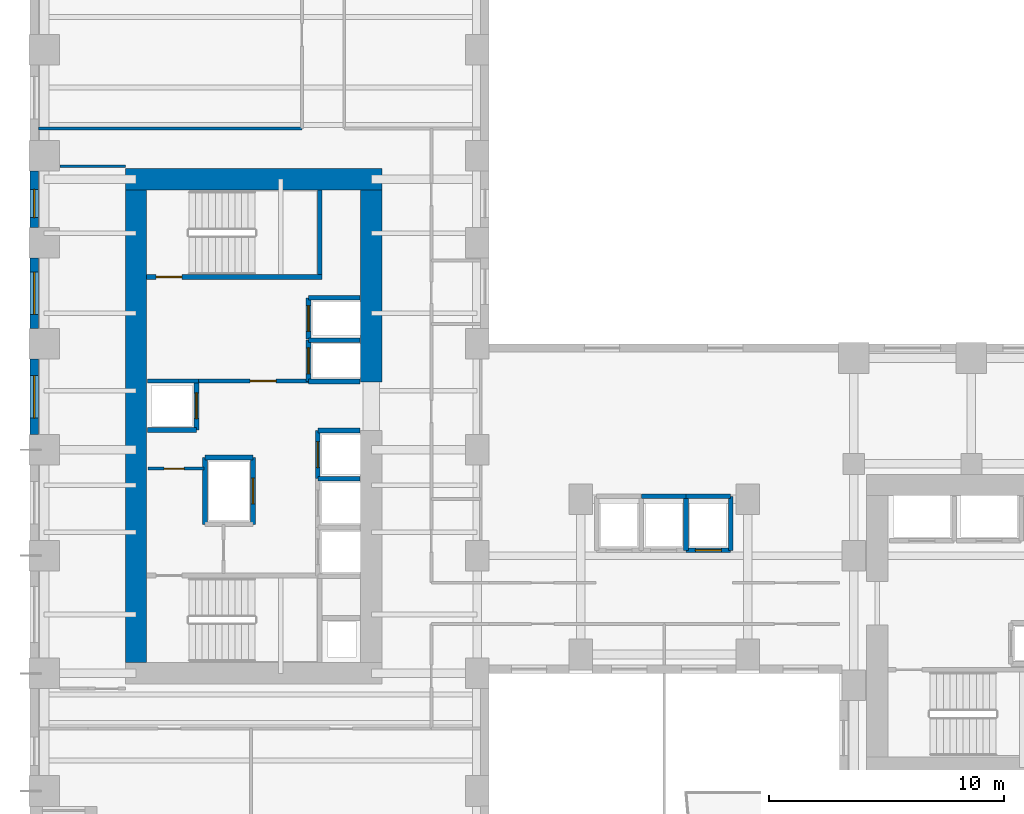
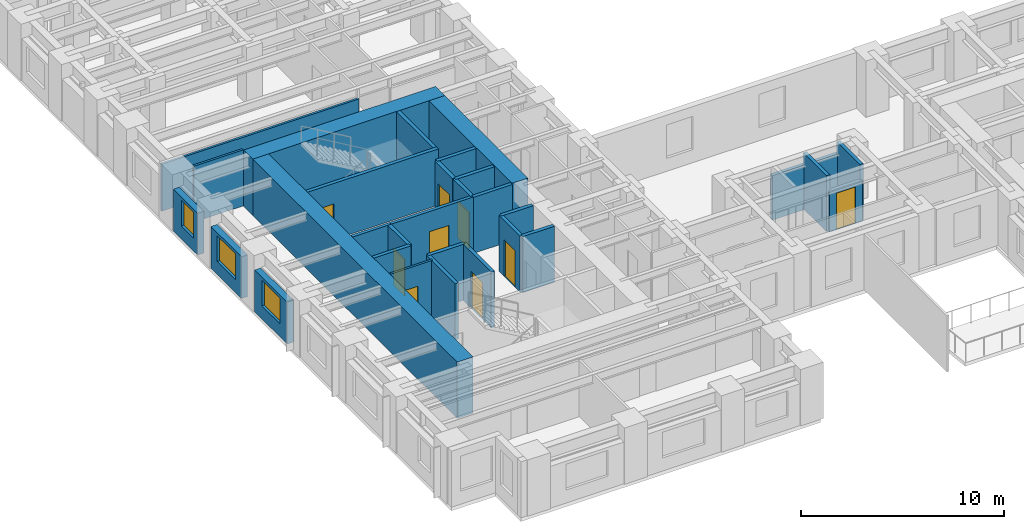
# One storey, part 5 of 12: 31 walls, 9 doors, 3 windows, 12 openings.
"""IFC4 building model written with IfcOpenShell, lengths in metres."""

from ifc_helpers import new_model, si_unit, direction, frame, frame_2d, origin, place, context, subcontext, project, spatial, rectangle, extrude, source, transform, mapped, material, layer, layer_set, type_object, element, fill, save


model = new_model("IFC4")

# Units and contexts
model_context = context("Model", 3, precision=1e-05, world=origin(), true_north=direction((0.0, 1.0)))
body_context = subcontext(model_context, "Body", "Model", "MODEL_VIEW")
ifc_project = project(units=[si_unit("LENGTHUNIT", "METRE"), si_unit("AREAUNIT", "SQUARE_METRE"), si_unit("VOLUMEUNIT", "CUBIC_METRE"), si_unit("PLANEANGLEUNIT", "RADIAN"), si_unit("MASSUNIT", "GRAM", prefix="KILO")], contexts=[model_context])

# Site, building, storey
site_placement = place(None, origin())
site = spatial("IfcSite", under=ifc_project, at=site_placement, CompositionType="ELEMENT")
building_placement = place(site_placement, origin())
building = spatial("IfcBuilding", under=site, at=building_placement, Name="Kharzan Plaza Tower", CompositionType="ELEMENT")
storey_placement = place(building_placement, frame((0.0, 0.0, 62.10009765625)))
storey = spatial("IfcBuildingStorey", under=building, at=storey_placement, Name="L16", CompositionType="ELEMENT", Elevation=62.10009765625)

# Wall, opening, window
ifc_material_1 = material(Name="Concrete C40/50", Category="concrete")
ifc_layer_1 = layer(ifc_material_1, 0.35009765625)
ifc_layer_set_1 = layer_set([ifc_layer_1], Name="Concrete C40/50")
wall_type_1 = type_object("IfcWallType", Name="WL-EXT-MAS-Z1", PredefinedType="SOLIDWALL", material=ifc_layer_set_1)
wall_1_placement = place(storey_placement, frame((0.175048828125, 29.85205078125, 0.0), z_axis=(0.0, 0.0, 1.0), x_axis=(0.0, -1.0, 0.0)))
wall_1 = element("IfcWall", 1, at=wall_1_placement, inside=storey, type_object=wall_type_1, Name="L16 Masonry-Frame Exterior Wall 14", PredefinedType="SOLIDWALL", context=body_context, shape_type="SweptSolid", body=[
    extrude(rectangle(XDim=2.404052734375, YDim=0.35009765625, at=frame_2d((1.2021484375, 0.0))), origin(), (0.0, 0.0, 1.0), 2.510009765625),
])
opening_1_placement = place(wall_1_placement, frame((0.786865234375, 0.0, 0.780029296875)))
opening_1 = element("IfcOpeningElement", 2, at=opening_1_placement, cuts=wall_1, Name="Opening W3", PredefinedType="OPENING", context=body_context, shape_type="SweptSolid", body=[
    extrude(rectangle(XDim=1.199951171875, YDim=1.550048828125, at=frame_2d((0.60009765625, 0.77490234375))), frame((0.0, 0.18505859375, 0.0), z_axis=(0.0, -1.0, 0.0), x_axis=(1.0, 0.0, 0.0)), (0.0, 0.0, 1.0), 0.3701171875),
])
ifc_material_2 = material(Name="Low-E Double Glazing", Category="glass")
window_type_1 = type_object("IfcWindowType", Name="WN-REC-1200x2100", PartitioningType="SINGLE_PANEL", PredefinedType="WINDOW", material=ifc_material_2)
shared_shape_1 = source(origin(), body_context, "Body", "SweptSolid", [
    extrude(rectangle(XDim=1.199951171875, YDim=1.550048828125, at=frame_2d((0.60009765625, 0.77490234375))), frame((0.0, 0.030029296875, 0.0), z_axis=(0.0, -1.0, 0.0), x_axis=(1.0, 0.0, 0.0)), (0.0, 0.0, 1.0), 0.06005859375),
])
window_1_placement = place(opening_1_placement, origin())
window_1 = element("IfcWindow", 3, at=window_1_placement, inside=storey, type_object=window_type_1, Name="L16 Recessed Solar-Control Window 14-1", OverallHeight=1.550048828125, OverallWidth=1.199951171875, PartitioningType="SINGLE_PANEL", PredefinedType="WINDOW", context=body_context, shape_type="MappedRepresentation", body=[
    mapped(shared_shape_1, transform((0.0, 0.0, 0.0), x_axis=(1.0, 0.0, 0.0), y_axis=(0.0, 1.0, 0.0), z_axis=(0.0, 0.0, 1.0))),
])
fill(opening_1, window_1)

wall_2_placement = place(storey_placement, frame((0.175048828125, 26.152099609375, 0.0), z_axis=(0.0, 0.0, 1.0), x_axis=(0.0, -1.0, 0.0)))
wall_2 = element("IfcWall", 4, at=wall_2_placement, inside=storey, type_object=wall_type_1, Name="L16 Masonry-Frame Exterior Wall 15", PredefinedType="SOLIDWALL", context=body_context, shape_type="SweptSolid", body=[
    extrude(rectangle(XDim=3.004150390625, YDim=0.35009765625, at=frame_2d((1.501953125, 0.0))), origin(), (0.0, 0.0, 1.0), 2.510009765625),
])
opening_2_placement = place(wall_2_placement, frame((0.60205078125, 0.0, 0.780029296875)))
opening_2 = element("IfcOpeningElement", 5, at=opening_2_placement, cuts=wall_2, Name="Opening W1", PredefinedType="OPENING", context=body_context, shape_type="SweptSolid", body=[
    extrude(rectangle(XDim=1.800048828125, YDim=1.550048828125, at=frame_2d((0.89990234375, 0.77490234375))), frame((0.0, 0.18505859375, 0.0), z_axis=(0.0, -1.0, 0.0), x_axis=(1.0, 0.0, 0.0)), (0.0, 0.0, 1.0), 0.3701171875),
])
window_type_2 = type_object("IfcWindowType", Name="WN-REC-1800x2100", PartitioningType="SINGLE_PANEL", PredefinedType="WINDOW", material=ifc_material_2)
shared_shape_2 = source(origin(), body_context, "Body", "SweptSolid", [
    extrude(rectangle(XDim=1.800048828125, YDim=1.550048828125, at=frame_2d((0.89990234375, 0.77490234375))), frame((0.0, 0.030029296875, 0.0), z_axis=(0.0, -1.0, 0.0), x_axis=(1.0, 0.0, 0.0)), (0.0, 0.0, 1.0), 0.06005859375),
])
window_2_placement = place(opening_2_placement, origin())
window_2 = element("IfcWindow", 6, at=window_2_placement, inside=storey, type_object=window_type_2, Name="L16 Recessed Solar-Control Window 15-1", OverallHeight=1.550048828125, OverallWidth=1.800048828125, PartitioningType="SINGLE_PANEL", PredefinedType="WINDOW", context=body_context, shape_type="MappedRepresentation", body=[
    mapped(shared_shape_2, transform((0.0, 0.0, 0.0), x_axis=(1.0, 0.0, 0.0), y_axis=(0.0, 1.0, 0.0), z_axis=(0.0, 0.0, 1.0))),
])
fill(opening_2, window_2)

wall_3_placement = place(storey_placement, frame((0.175048828125, 21.85205078125, 0.0), z_axis=(0.0, 0.0, 1.0), x_axis=(0.0, -1.0, 0.0)))
wall_3 = element("IfcWall", 7, at=wall_3_placement, inside=storey, type_object=wall_type_1, Name="L16 Masonry-Frame Exterior Wall 16", PredefinedType="SOLIDWALL", context=body_context, shape_type="SweptSolid", body=[
    extrude(rectangle(XDim=3.2041015625, YDim=0.35009765625, at=frame_2d((1.60205078125, 0.0))), origin(), (0.0, 0.0, 1.0), 2.510009765625),
])
opening_3_placement = place(wall_3_placement, frame((0.701904296875, 0.0, 0.780029296875)))
opening_3 = element("IfcOpeningElement", 8, at=opening_3_placement, cuts=wall_3, Name="Opening W1", PredefinedType="OPENING", context=body_context, shape_type="SweptSolid", body=[
    extrude(rectangle(XDim=1.800048828125, YDim=1.550048828125, at=frame_2d((0.89990234375, 0.77490234375))), frame((0.0, 0.18505859375, 0.0), z_axis=(0.0, -1.0, 0.0), x_axis=(1.0, 0.0, 0.0)), (0.0, 0.0, 1.0), 0.3701171875),
])
window_3_placement = place(opening_3_placement, origin())
window_3 = element("IfcWindow", 9, at=window_3_placement, inside=storey, type_object=window_type_2, Name="L16 Recessed Solar-Control Window 16-1", OverallHeight=1.550048828125, OverallWidth=1.800048828125, PartitioningType="SINGLE_PANEL", PredefinedType="WINDOW", context=body_context, shape_type="MappedRepresentation", body=[
    mapped(shared_shape_2, transform((0.0, 0.0, 0.0), x_axis=(1.0, 0.0, 0.0), y_axis=(0.0, 1.0, 0.0), z_axis=(0.0, 0.0, 1.0))),
])
fill(opening_3, window_3)

# Wall, opening, door
ifc_layer_2 = layer(ifc_material_1, 0.179931640625)
ifc_layer_set_2 = layer_set([ifc_layer_2], Name="Concrete C40/50")
wall_type_2 = type_object("IfcWallType", Name="WL-INT-FIRE-180", PredefinedType="PARTITIONING", material=ifc_layer_set_2)
wall_4_placement = place(storey_placement, frame((7.14990234375, 20.919921875, 0.0), z_axis=(0.0, 0.0, 1.0), x_axis=(1.0, 0.0, 0.0)))
wall_4 = element("IfcWall", 10, at=wall_4_placement, inside=storey, type_object=wall_type_2, Name="L16 Interior Partition CA-FF-S", PredefinedType="PARTITIONING", context=body_context, shape_type="SweptSolid", body=[
    extrude(rectangle(XDim=4.68017578125, YDim=0.179931640625, at=frame_2d((2.340087890625, 0.0))), origin(), (0.0, 0.0, 1.0), 3.364990234375),
])
opening_4_placement = place(wall_4_placement, frame((2.199951171875, 0.0, 0.0)))
opening_4 = element("IfcOpeningElement", 11, at=opening_4_placement, cuts=wall_4, Name="Opening FD1", PredefinedType="OPENING", context=body_context, shape_type="SweptSolid", body=[
    extrude(rectangle(XDim=1.10009765625, YDim=2.14990234375, at=frame_2d((0.550048828125, 1.074951171875))), frame((0.0, 0.099853515625, 0.0), z_axis=(0.0, -1.0, 0.0), x_axis=(1.0, 0.0, 0.0)), (0.0, 0.0, 1.0), 0.199951171875),
])
ifc_material_3 = material(Name="Fire-Rated Acoustic Vision-Panel Steel", Category="steel")
door_type_1 = type_object("IfcDoorType", Name="DR-FIRE-LOBBY", OperationType="NOTDEFINED", PredefinedType="DOOR", material=ifc_material_3)
shared_shape_3 = source(origin(), body_context, "Body", "SweptSolid", [
    extrude(rectangle(XDim=1.10009765625, YDim=2.14990234375, at=frame_2d((0.550048828125, 1.074951171875))), frame((0.0, 0.02490234375, 0.0), z_axis=(0.0, -1.0, 0.0), x_axis=(1.0, 0.0, 0.0)), (0.0, 0.0, 1.0), 0.050048828125),
])
door_1_placement = place(opening_4_placement, origin())
door_1 = element("IfcDoor", 12, at=door_1_placement, inside=storey, type_object=door_type_1, Name="L16 Firefighting Lobby Door", OperationType="SINGLE_SWING_RIGHT", OverallHeight=2.14990234375, OverallWidth=1.10009765625, PredefinedType="DOOR", context=body_context, shape_type="MappedRepresentation", body=[
    mapped(shared_shape_3, transform((0.0, 0.0, 0.0), x_axis=(1.0, 0.0, 0.0), y_axis=(0.0, 1.0, 0.0), z_axis=(0.0, 0.0, 1.0))),
])
fill(opening_4, door_1)

ifc_material_4 = material(Name="Fire-Rated Gypsum Board Partition", Category="gypsum")
ifc_layer_3 = layer(ifc_material_4, 0.125)
ifc_layer_set_3 = layer_set([ifc_layer_3], Name="Fire-Rated Gypsum Board Partition")
wall_type_3 = type_object("IfcWallType", Name="WL-INT-PART-125", PredefinedType="PARTITIONING", material=ifc_layer_set_3)
wall_5_placement = place(storey_placement, frame((5.0, 17.199951171875, 0.0), z_axis=(0.0, 0.0, 1.0), x_axis=(1.0, 0.0, 0.0)))
wall_5 = element("IfcWall", 13, at=wall_5_placement, inside=storey, type_object=wall_type_3, Name="L16 Interior Partition CA-K1N2", PredefinedType="PARTITIONING", context=body_context, shape_type="SweptSolid", body=[
    extrude(rectangle(XDim=2.39990234375, YDim=0.125, at=frame_2d((1.199951171875, 0.0))), origin(), (0.0, 0.0, 1.0), 3.364990234375),
])
opening_5_placement = place(wall_5_placement, frame((0.699951171875, 0.0, 0.0)))
opening_5 = element("IfcOpeningElement", 14, at=opening_5_placement, cuts=wall_5, Name="Opening RD1", PredefinedType="OPENING", context=body_context, shape_type="SweptSolid", body=[
    extrude(rectangle(XDim=0.85009765625, YDim=2.10009765625, at=frame_2d((0.425048828125, 1.050048828125))), frame((0.0, 0.072509765625, 0.0), z_axis=(0.0, -1.0, 0.0), x_axis=(1.0, 0.0, 0.0)), (0.0, 0.0, 1.0), 0.14501953125),
])
ifc_material_5 = material(Name="Powder-Coated Fire-Rated Steel", Category="steel")
door_type_2 = type_object("IfcDoorType", Name="DR-RISER-900", OperationType="NOTDEFINED", PredefinedType="DOOR", material=ifc_material_5)
shared_shape_4 = source(origin(), body_context, "Body", "SweptSolid", [
    extrude(rectangle(XDim=0.85009765625, YDim=2.10009765625, at=frame_2d((0.425048828125, 1.050048828125))), frame((0.0, 0.02490234375, 0.0), z_axis=(0.0, -1.0, 0.0), x_axis=(1.0, 0.0, 0.0)), (0.0, 0.0, 1.0), 0.050048828125),
])
door_2_placement = place(opening_5_placement, origin())
door_2 = element("IfcDoor", 15, at=door_2_placement, inside=storey, type_object=door_type_2, Name="L16 Core Storage Room Door", OperationType="SINGLE_SWING_LEFT", OverallHeight=2.10009765625, OverallWidth=0.85009765625, PredefinedType="DOOR", context=body_context, shape_type="MappedRepresentation", body=[
    mapped(shared_shape_4, transform((0.0, 0.0, 0.0), x_axis=(1.0, 0.0, 0.0), y_axis=(0.0, 1.0, 0.0), z_axis=(0.0, 0.0, 1.0))),
])
fill(opening_5, door_2)

ifc_layer_4 = layer(ifc_material_1, 0.199951171875)
ifc_layer_set_4 = layer_set([ifc_layer_4], Name="Concrete C40/50")
wall_type_4 = type_object("IfcWallType", Name="WL-INT-SHAFT-200", PredefinedType="PARTITIONING", material=ifc_layer_set_4)
wall_6_placement = place(storey_placement, frame((11.830078125, 20.89990234375, 0.0), z_axis=(0.0, 0.0, 1.0), x_axis=(0.0, 1.0, 0.0)))
wall_6 = element("IfcWall", 16, at=wall_6_placement, inside=storey, type_object=wall_type_4, Name="L16 Interior Partition SHF-FFL-1-W", PredefinedType="PARTITIONING", context=body_context, shape_type="SweptSolid", body=[
    extrude(rectangle(XDim=1.760009765625, YDim=0.199951171875, at=frame_2d((0.8798828125, 0.0))), origin(), (0.0, 0.0, 1.0), 3.364990234375),
])
opening_6_placement = place(wall_6_placement, frame((0.330078125, 0.0, 0.0)))
opening_6 = element("IfcOpeningElement", 17, at=opening_6_placement, cuts=wall_6, Name="Opening LD", PredefinedType="OPENING", context=body_context, shape_type="SweptSolid", body=[
    extrude(rectangle(XDim=1.10009765625, YDim=2.199951171875, at=frame_2d((0.550048828125, 1.10009765625))), frame((0.0, 0.10986328125, 0.0), z_axis=(0.0, -1.0, 0.0), x_axis=(1.0, 0.0, 0.0)), (0.0, 0.0, 1.0), 0.219970703125),
])
ifc_material_6 = material(Name="Brushed Stainless Steel", Category="steel")
door_type_3 = type_object("IfcDoorType", Name="DR-LIFT-SLIDE", OperationType="SLIDING_TO_LEFT", PredefinedType="DOOR", material=ifc_material_6)
shared_shape_5 = source(origin(), body_context, "Body", "SweptSolid", [
    extrude(rectangle(XDim=1.10009765625, YDim=2.199951171875, at=frame_2d((0.550048828125, 1.10009765625))), frame((0.0, 0.02490234375, 0.0), z_axis=(0.0, -1.0, 0.0), x_axis=(1.0, 0.0, 0.0)), (0.0, 0.0, 1.0), 0.050048828125),
])
door_3_placement = place(opening_6_placement, origin())
door_3 = element("IfcDoor", 18, at=door_3_placement, inside=storey, type_object=door_type_3, Name="L16 Firefighting Lift FFL-1 Sliding Landing Door", OperationType="SLIDING_TO_LEFT", OverallHeight=2.199951171875, OverallWidth=1.10009765625, PredefinedType="DOOR", context=body_context, shape_type="MappedRepresentation", body=[
    mapped(shared_shape_5, transform((0.0, 0.0, 0.0), x_axis=(1.0, 0.0, 0.0), y_axis=(0.0, 1.0, 0.0), z_axis=(0.0, 0.0, 1.0))),
])
fill(opening_6, door_3)

wall_7_placement = place(storey_placement, frame((11.830078125, 22.699951171875, 0.0), z_axis=(0.0, 0.0, 1.0), x_axis=(0.0, 1.0, 0.0)))
wall_7 = element("IfcWall", 19, at=wall_7_placement, inside=storey, type_object=wall_type_4, Name="L16 Interior Partition SHF-FFL-2-W", PredefinedType="PARTITIONING", context=body_context, shape_type="SweptSolid", body=[
    extrude(rectangle(XDim=1.760009765625, YDim=0.199951171875, at=frame_2d((0.8798828125, 0.0))), origin(), (0.0, 0.0, 1.0), 3.364990234375),
])
opening_7_placement = place(wall_7_placement, frame((0.330078125, 0.0, 0.0)))
opening_7 = element("IfcOpeningElement", 20, at=opening_7_placement, cuts=wall_7, Name="Opening LD", PredefinedType="OPENING", context=body_context, shape_type="SweptSolid", body=[
    extrude(rectangle(XDim=1.10009765625, YDim=2.199951171875, at=frame_2d((0.550048828125, 1.10009765625))), frame((0.0, 0.10986328125, 0.0), z_axis=(0.0, -1.0, 0.0), x_axis=(1.0, 0.0, 0.0)), (0.0, 0.0, 1.0), 0.219970703125),
])
door_4_placement = place(opening_7_placement, origin())
door_4 = element("IfcDoor", 21, at=door_4_placement, inside=storey, type_object=door_type_3, Name="L16 Firefighting Lift FFL-2 Sliding Landing Door", OperationType="SLIDING_TO_LEFT", OverallHeight=2.199951171875, OverallWidth=1.10009765625, PredefinedType="DOOR", context=body_context, shape_type="MappedRepresentation", body=[
    mapped(shared_shape_5, transform((0.0, 0.0, 0.0), x_axis=(1.0, 0.0, 0.0), y_axis=(0.0, 1.0, 0.0), z_axis=(0.0, 0.0, 1.0))),
])
fill(opening_7, door_4)

wall_8_placement = place(storey_placement, frame((12.22998046875, 16.77001953125, 0.0), z_axis=(0.0, 0.0, 1.0), x_axis=(0.0, 1.0, 0.0)))
wall_8 = element("IfcWall", 22, at=wall_8_placement, inside=storey, type_object=wall_type_4, Name="L16 Interior Partition SHF-PL-H3-W", PredefinedType="PARTITIONING", context=body_context, shape_type="SweptSolid", body=[
    extrude(rectangle(XDim=2.050048828125, YDim=0.199951171875, at=frame_2d((1.02490234375, 0.0))), origin(), (0.0, 0.0, 1.0), 3.364990234375),
])
opening_8_placement = place(wall_8_placement, frame((0.47509765625, 0.0, 0.0)))
opening_8 = element("IfcOpeningElement", 23, at=opening_8_placement, cuts=wall_8, Name="Opening LD", PredefinedType="OPENING", context=body_context, shape_type="SweptSolid", body=[
    extrude(rectangle(XDim=1.10009765625, YDim=2.199951171875, at=frame_2d((0.550048828125, 1.10009765625))), frame((0.0, 0.10986328125, 0.0), z_axis=(0.0, -1.0, 0.0), x_axis=(1.0, 0.0, 0.0)), (0.0, 0.0, 1.0), 0.219970703125),
])
door_5_placement = place(opening_8_placement, origin())
door_5 = element("IfcDoor", 24, at=door_5_placement, inside=storey, type_object=door_type_3, Name="L16 High-Rise Passenger Lift PL-H3 Sliding Landing Door", OperationType="SLIDING_TO_LEFT", OverallHeight=2.199951171875, OverallWidth=1.10009765625, PredefinedType="DOOR", context=body_context, shape_type="MappedRepresentation", body=[
    mapped(shared_shape_5, transform((0.0, 0.0, 0.0), x_axis=(1.0, 0.0, 0.0), y_axis=(0.0, 1.0, 0.0), z_axis=(0.0, 0.0, 1.0))),
])
fill(opening_8, door_5)

wall_9_placement = place(storey_placement, frame((7.070068359375, 18.840087890625, 0.0), z_axis=(0.0, 0.0, 1.0), x_axis=(0.0, 1.0, 0.0)))
wall_9 = element("IfcWall", 25, at=wall_9_placement, inside=storey, type_object=wall_type_4, Name="L16 Interior Partition SHF-PL-H4-E", PredefinedType="PARTITIONING", context=body_context, shape_type="SweptSolid", body=[
    extrude(rectangle(XDim=2.059814453125, YDim=0.199951171875, at=frame_2d((1.02978515625, 0.0))), origin(), (0.0, 0.0, 1.0), 3.364990234375),
])
opening_9_placement = place(wall_9_placement, frame((0.47998046875, 0.0, 0.0)))
opening_9 = element("IfcOpeningElement", 26, at=opening_9_placement, cuts=wall_9, Name="Opening LD", PredefinedType="OPENING", context=body_context, shape_type="SweptSolid", body=[
    extrude(rectangle(XDim=1.10009765625, YDim=2.199951171875, at=frame_2d((0.550048828125, 1.10009765625))), frame((0.0, 0.10986328125, 0.0), z_axis=(0.0, -1.0, 0.0), x_axis=(1.0, 0.0, 0.0)), (0.0, 0.0, 1.0), 0.219970703125),
])
door_6_placement = place(opening_9_placement, origin())
door_6 = element("IfcDoor", 27, at=door_6_placement, inside=storey, type_object=door_type_3, Name="L16 High-Rise Passenger Lift PL-H4 Sliding Landing Door", OperationType="SLIDING_TO_LEFT", OverallHeight=2.199951171875, OverallWidth=1.10009765625, PredefinedType="DOOR", context=body_context, shape_type="MappedRepresentation", body=[
    mapped(shared_shape_5, transform((0.0, 0.0, 0.0), x_axis=(1.0, 0.0, 0.0), y_axis=(0.0, 1.0, 0.0), z_axis=(0.0, 0.0, 1.0))),
])
fill(opening_9, door_6)

wall_10_placement = place(storey_placement, frame((27.8798828125, 13.72998046875, 0.0), z_axis=(0.0, 0.0, 1.0), x_axis=(1.0, 0.0, 0.0)))
wall_10 = element("IfcWall", 28, at=wall_10_placement, inside=storey, type_object=wall_type_4, Name="L16 Interior Partition SHF-PL-M3-S", PredefinedType="PARTITIONING", context=body_context, shape_type="SweptSolid", body=[
    extrude(rectangle(XDim=1.89013671875, YDim=0.199951171875, at=frame_2d((0.945068359375, 0.0))), origin(), (0.0, 0.0, 1.0), 2.44580078125),
])
opening_10_placement = place(wall_10_placement, frame((0.39501953125, 0.0, 0.0)))
opening_10 = element("IfcOpeningElement", 29, at=opening_10_placement, cuts=wall_10, Name="Opening LD", PredefinedType="OPENING", context=body_context, shape_type="SweptSolid", body=[
    extrude(rectangle(XDim=1.10009765625, YDim=2.199951171875, at=frame_2d((0.550048828125, 1.10009765625))), frame((0.0, 0.10986328125, 0.0), z_axis=(0.0, -1.0, 0.0), x_axis=(1.0, 0.0, 0.0)), (0.0, 0.0, 1.0), 0.219970703125),
])
door_7_placement = place(opening_10_placement, origin())
door_7 = element("IfcDoor", 30, at=door_7_placement, inside=storey, type_object=door_type_3, Name="L16 Mid-Rise Passenger Lift PL-M3 Sliding Landing Door", OperationType="SLIDING_TO_LEFT", OverallHeight=2.199951171875, OverallWidth=1.10009765625, PredefinedType="DOOR", context=body_context, shape_type="MappedRepresentation", body=[
    mapped(shared_shape_5, transform((0.0, 0.0, 0.0), x_axis=(1.0, 0.0, 0.0), y_axis=(0.0, 1.0, 0.0), z_axis=(0.0, 0.0, 1.0))),
])
fill(opening_10, door_7)

wall_11_placement = place(storey_placement, frame((9.469970703125, 14.830078125, 0.0), z_axis=(0.0, 0.0, 1.0), x_axis=(0.0, 1.0, 0.0)))
wall_11 = element("IfcWall", 31, at=wall_11_placement, inside=storey, type_object=wall_type_4, Name="L16 Interior Partition SHF-SVL-1-E", PredefinedType="PARTITIONING", context=body_context, shape_type="SweptSolid", body=[
    extrude(rectangle(XDim=2.83984375, YDim=0.199951171875, at=frame_2d((1.419921875, 0.0))), origin(), (0.0, 0.0, 1.0), 3.364990234375),
])
opening_11_placement = place(wall_11_placement, frame((0.8701171875, 0.0, 0.0)))
opening_11 = element("IfcOpeningElement", 32, at=opening_11_placement, cuts=wall_11, Name="Opening LD", PredefinedType="OPENING", context=body_context, shape_type="SweptSolid", body=[
    extrude(rectangle(XDim=1.10009765625, YDim=2.199951171875, at=frame_2d((0.550048828125, 1.10009765625))), frame((0.0, 0.10986328125, 0.0), z_axis=(0.0, -1.0, 0.0), x_axis=(1.0, 0.0, 0.0)), (0.0, 0.0, 1.0), 0.219970703125),
])
door_8_placement = place(opening_11_placement, origin())
door_8 = element("IfcDoor", 33, at=door_8_placement, inside=storey, type_object=door_type_3, Name="L16 Service Lift SVL-1 Sliding Landing Door", OperationType="SLIDING_TO_LEFT", OverallHeight=2.199951171875, OverallWidth=1.10009765625, PredefinedType="DOOR", context=body_context, shape_type="MappedRepresentation", body=[
    mapped(shared_shape_5, transform((0.0, 0.0, 0.0), x_axis=(1.0, 0.0, 0.0), y_axis=(0.0, 1.0, 0.0), z_axis=(0.0, 0.0, 1.0))),
])
fill(opening_11, door_8)

ifc_material_7 = material(Name="Concrete C50/60", Category="concrete")
ifc_layer_5 = layer(ifc_material_7, 0.199951171875)
ifc_layer_set_5 = layer_set([ifc_layer_5], Name="Concrete C50/60")
wall_type_5 = type_object("IfcWallType", Name="WL-SHAFT-RC200", PredefinedType="SHEAR", material=ifc_layer_set_5)
wall_12_placement = place(storey_placement, frame((4.951904296875, 25.344970703125, 0.0), z_axis=(0.0, 0.0, 1.0), x_axis=(1.0, 0.0, 0.0)))
wall_12 = element("IfcWall", 34, at=wall_12_placement, inside=storey, type_object=wall_type_5, Name="L16 Stair ST-2 South RC Shaft Wall", PredefinedType="SHEAR", context=body_context, shape_type="SweptSolid", body=[
    extrude(rectangle(XDim=7.453125, YDim=0.199951171875, at=frame_2d((3.7265625, 0.0))), origin(), (0.0, 0.0, 1.0), 3.3798828125),
])
opening_12_placement = place(wall_12_placement, frame((0.39990234375, 0.0, 0.0)))
opening_12 = element("IfcOpeningElement", 35, at=opening_12_placement, cuts=wall_12, Name="Opening SD1", PredefinedType="OPENING", context=body_context, shape_type="SweptSolid", body=[
    extrude(rectangle(XDim=1.10009765625, YDim=2.14990234375, at=frame_2d((0.550048828125, 1.074951171875))), frame((0.0, 0.10986328125, 0.0), z_axis=(0.0, -1.0, 0.0), x_axis=(1.0, 0.0, 0.0)), (0.0, 0.0, 1.0), 0.219970703125),
])
ifc_material_8 = material(Name="Fire-Rated Hollow Galvanized Steel", Category="steel")
door_type_4 = type_object("IfcDoorType", Name="DR-STAIR-FD120", OperationType="NOTDEFINED", PredefinedType="DOOR", material=ifc_material_8)
shared_shape_6 = source(origin(), body_context, "Body", "SweptSolid", [
    extrude(rectangle(XDim=1.10009765625, YDim=2.14990234375, at=frame_2d((0.550048828125, 1.074951171875))), frame((0.0, 0.02490234375, 0.0), z_axis=(0.0, -1.0, 0.0), x_axis=(1.0, 0.0, 0.0)), (0.0, 0.0, 1.0), 0.050048828125),
])
door_9_placement = place(opening_12_placement, origin())
door_9 = element("IfcDoor", 36, at=door_9_placement, inside=storey, type_object=door_type_4, Name="L16 Stair ST-2 Fire Exit Door", OperationType="SINGLE_SWING_LEFT", OverallHeight=2.14990234375, OverallWidth=1.10009765625, PredefinedType="DOOR", context=body_context, shape_type="MappedRepresentation", body=[
    mapped(shared_shape_6, transform((0.0, 0.0, 0.0), x_axis=(1.0, 0.0, 0.0), y_axis=(0.0, 1.0, 0.0), z_axis=(0.0, 0.0, 1.0))),
])
fill(opening_12, door_9)

# Walls
ifc_material_9 = material(Name="Concrete C60/75", Category="concrete")
ifc_layer_6 = layer(ifc_material_9, 0.89990234375)
ifc_layer_set_6 = layer_set([ifc_layer_6], Name="Concrete C60/75")
wall_type_6 = type_object("IfcWallType", Name="WL-CORE-900", PredefinedType="SHEAR", material=ifc_layer_set_6)
shared_shape_7 = source(origin(), body_context, "Body", "SweptSolid", [
    extrude(rectangle(XDim=8.170166015625, YDim=0.89990234375, at=frame_2d((4.0849609375, 0.0))), origin(), (0.0, 0.0, 1.0), 3.3798828125),
])
wall_13_placement = place(storey_placement, frame((14.5, 20.8798828125, 0.0), z_axis=(0.0, 0.0, 1.0), x_axis=(0.0, 1.0, 0.0)))
element("IfcWall", 37, at=wall_13_placement, inside=storey, type_object=wall_type_6, Name="L16 CORE-A east shear pier 2", PredefinedType="SHEAR", context=body_context, shape_type="MappedRepresentation", body=[
    mapped(shared_shape_7, transform((0.0, 0.0, 0.0), x_axis=(1.0, 0.0, 0.0), y_axis=(0.0, 1.0, 0.0), z_axis=(0.0, 0.0, 1.0))),
])
shared_shape_8 = source(origin(), body_context, "Body", "SweptSolid", [
    extrude(rectangle(XDim=10.89990234375, YDim=0.89990234375, at=frame_2d((5.449951171875, 0.0))), origin(), (0.0, 0.0, 1.0), 3.3798828125),
])
wall_14_placement = place(storey_placement, frame((4.050048828125, 29.5, 0.0), z_axis=(0.0, 0.0, 1.0), x_axis=(1.0, 0.0, 0.0)))
element("IfcWall", 38, at=wall_14_placement, inside=storey, type_object=wall_type_6, Name="L16 CORE-A north RC shear wall", PredefinedType="SHEAR", context=body_context, shape_type="MappedRepresentation", body=[
    mapped(shared_shape_8, transform((0.0, 0.0, 0.0), x_axis=(1.0, 0.0, 0.0), y_axis=(0.0, 1.0, 0.0), z_axis=(0.0, 0.0, 1.0))),
])
shared_shape_9 = source(origin(), body_context, "Body", "SweptSolid", [
    extrude(rectangle(XDim=20.10009765625, YDim=0.89990234375, at=frame_2d((10.050048828125, 0.0))), origin(), (0.0, 0.0, 1.0), 3.3798828125),
])
wall_15_placement = place(storey_placement, frame((4.5, 8.949951171875, 0.0), z_axis=(0.0, 0.0, 1.0), x_axis=(0.0, 1.0, 0.0)))
element("IfcWall", 39, at=wall_15_placement, inside=storey, type_object=wall_type_6, Name="L16 CORE-A west RC shear wall", PredefinedType="SHEAR", context=body_context, shape_type="MappedRepresentation", body=[
    mapped(shared_shape_9, transform((0.0, 0.0, 0.0), x_axis=(1.0, 0.0, 0.0), y_axis=(0.0, 1.0, 0.0), z_axis=(0.0, 0.0, 1.0))),
])
shared_shape_10 = source(origin(), body_context, "Body", "SweptSolid", [
    extrude(rectangle(XDim=2.169921875, YDim=0.179931640625, at=frame_2d((1.0849609375, 0.0))), origin(), (0.0, 0.0, 1.0), 3.364990234375),
])
wall_16_placement = place(storey_placement, frame((4.97998046875, 20.919921875, 0.0), z_axis=(0.0, 0.0, 1.0), x_axis=(1.0, 0.0, 0.0)))
element("IfcWall", 40, at=wall_16_placement, inside=storey, type_object=wall_type_2, Name="L16 Interior Partition CA-FF-SW", PredefinedType="PARTITIONING", context=body_context, shape_type="MappedRepresentation", body=[
    mapped(shared_shape_10, transform((0.0, 0.0, 0.0), x_axis=(1.0, 0.0, 0.0), y_axis=(0.0, 1.0, 0.0), z_axis=(0.0, 0.0, 1.0))),
])
shared_shape_11 = source(origin(), body_context, "Body", "SweptSolid", [
    extrude(rectangle(XDim=2.7900390625, YDim=0.125, at=frame_2d((1.39501953125, 0.0))), origin(), (0.0, 0.0, 1.0), 3.364990234375),
])
wall_17_placement = place(storey_placement, frame((1.260009765625, 30.050048828125, 0.0), z_axis=(0.0, 0.0, 1.0), x_axis=(1.0, 0.0, 0.0)))
element("IfcWall", 41, at=wall_17_placement, inside=storey, type_object=wall_type_3, Name="L16 Interior Partition SH-RWN0", PredefinedType="PARTITIONING", context=body_context, shape_type="MappedRepresentation", body=[
    mapped(shared_shape_11, transform((0.0, 0.0, 0.0), x_axis=(1.0, 0.0, 0.0), y_axis=(0.0, 1.0, 0.0), z_axis=(0.0, 0.0, 1.0))),
])
shared_shape_12 = source(origin(), body_context, "Body", "SweptSolid", [
    extrude(rectangle(XDim=2.18994140625, YDim=0.199951171875, at=frame_2d((1.094970703125, 0.0))), origin(), (0.0, 0.0, 1.0), 3.364990234375),
])
for number, where, z_axis, x_axis, name in (
    (42, (11.830078125, 22.659912109375, 0.0), (0.0, 0.0, 1.0), (1.0, 0.0, 0.0), "L16 Interior Partition SHF-FFL-1-N"),
    (43, (11.830078125, 20.89990234375, 0.0), (0.0, 0.0, 1.0), (1.0, 0.0, 0.0), "L16 Interior Partition SHF-FFL-1-S"),
    (44, (11.830078125, 24.4599609375, 0.0), (0.0, 0.0, 1.0), (1.0, 0.0, 0.0), "L16 Interior Partition SHF-FFL-2-N"),
):
    element("IfcWall", number, at=place(storey_placement, frame(where, z_axis=z_axis, x_axis=x_axis)), inside=storey, type_object=wall_type_4, Name=name, PredefinedType="PARTITIONING", context=body_context, shape_type="MappedRepresentation", body=[
        mapped(shared_shape_12, transform((0.0, 0.0, 0.0), x_axis=(1.0, 0.0, 0.0), y_axis=(0.0, 1.0, 0.0), z_axis=(0.0, 0.0, 1.0))),
    ])
shared_shape_13 = source(origin(), body_context, "Body", "SweptSolid", [
    extrude(rectangle(XDim=1.7900390625, YDim=0.199951171875, at=frame_2d((0.89501953125, 0.0))), origin(), (0.0, 0.0, 1.0), 3.364990234375),
])
for number, where, z_axis, x_axis, name in (
    (45, (12.22998046875, 16.77001953125, 0.0), (0.0, 0.0, 1.0), (1.0, 0.0, 0.0), "L16 Interior Partition SHF-PL-H2-N"),
    (46, (12.22998046875, 18.820068359375, 0.0), (0.0, 0.0, 1.0), (1.0, 0.0, 0.0), "L16 Interior Partition SHF-PL-H3-N"),
):
    element("IfcWall", number, at=place(storey_placement, frame(where, z_axis=z_axis, x_axis=x_axis)), inside=storey, type_object=wall_type_4, Name=name, PredefinedType="PARTITIONING", context=body_context, shape_type="MappedRepresentation", body=[
        mapped(shared_shape_13, transform((0.0, 0.0, 0.0), x_axis=(1.0, 0.0, 0.0), y_axis=(0.0, 1.0, 0.0), z_axis=(0.0, 0.0, 1.0))),
    ])
shared_shape_14 = source(origin(), body_context, "Body", "SweptSolid", [
    extrude(rectangle(XDim=2.090087890625, YDim=0.199951171875, at=frame_2d((1.044921875, 0.0))), origin(), (0.0, 0.0, 1.0), 3.364990234375),
])
wall_18_placement = place(storey_placement, frame((4.97998046875, 18.840087890625, 0.0), z_axis=(0.0, 0.0, 1.0), x_axis=(1.0, 0.0, 0.0)))
element("IfcWall", 47, at=wall_18_placement, inside=storey, type_object=wall_type_4, Name="L16 Interior Partition SHF-PL-H4-S", PredefinedType="PARTITIONING", context=body_context, shape_type="MappedRepresentation", body=[
    mapped(shared_shape_14, transform((0.0, 0.0, 0.0), x_axis=(1.0, 0.0, 0.0), y_axis=(0.0, 1.0, 0.0), z_axis=(0.0, 0.0, 1.0))),
])
shared_shape_15 = source(origin(), body_context, "Body", "SweptSolid", [
    extrude(rectangle(XDim=2.2900390625, YDim=0.199951171875, at=frame_2d((1.14501953125, 0.0))), origin(), (0.0, 0.0, 1.0), 3.364990234375),
])
for number, where, z_axis, x_axis, name in (
    (48, (27.8701171875, 13.72998046875, 0.0), (0.0, 0.0, 1.0), (0.0, 1.0, 0.0), "L16 Interior Partition SHF-PL-M2-E"),
    (49, (29.77001953125, 13.72998046875, 0.0), (0.0, 0.0, 1.0), (0.0, 1.0, 0.0), "L16 Interior Partition SHF-PL-M3-E"),
):
    element("IfcWall", number, at=place(storey_placement, frame(where, z_axis=z_axis, x_axis=x_axis)), inside=storey, type_object=wall_type_4, Name=name, PredefinedType="PARTITIONING", context=body_context, shape_type="MappedRepresentation", body=[
        mapped(shared_shape_15, transform((0.0, 0.0, 0.0), x_axis=(1.0, 0.0, 0.0), y_axis=(0.0, 1.0, 0.0), z_axis=(0.0, 0.0, 1.0))),
    ])
shared_shape_16 = source(origin(), body_context, "Body", "SweptSolid", [
    extrude(rectangle(XDim=1.89013671875, YDim=0.199951171875, at=frame_2d((0.945068359375, 0.0))), origin(), (0.0, 0.0, 1.0), 2.669921875),
])
for number, where, z_axis, x_axis, name in (
    (50, (25.97998046875, 16.02001953125, 0.0), (0.0, 0.0, 1.0), (1.0, 0.0, 0.0), "L16 Interior Partition SHF-PL-M2-N"),
    (51, (27.8798828125, 16.02001953125, 0.0), (0.0, 0.0, 1.0), (1.0, 0.0, 0.0), "L16 Interior Partition SHF-PL-M3-N"),
):
    element("IfcWall", number, at=place(storey_placement, frame(where, z_axis=z_axis, x_axis=x_axis)), inside=storey, type_object=wall_type_4, Name=name, PredefinedType="PARTITIONING", context=body_context, shape_type="MappedRepresentation", body=[
        mapped(shared_shape_16, transform((0.0, 0.0, 0.0), x_axis=(1.0, 0.0, 0.0), y_axis=(0.0, 1.0, 0.0), z_axis=(0.0, 0.0, 1.0))),
    ])
shared_shape_17 = source(origin(), body_context, "Body", "SweptSolid", [
    extrude(rectangle(XDim=2.0400390625, YDim=0.199951171875, at=frame_2d((1.02001953125, 0.0))), origin(), (0.0, 0.0, 1.0), 3.364990234375),
])
wall_19_placement = place(storey_placement, frame((7.429931640625, 17.669921875, 0.0), z_axis=(0.0, 0.0, 1.0), x_axis=(1.0, 0.0, 0.0)))
element("IfcWall", 52, at=wall_19_placement, inside=storey, type_object=wall_type_4, Name="L16 Interior Partition SHF-SVL-1-N", PredefinedType="PARTITIONING", context=body_context, shape_type="MappedRepresentation", body=[
    mapped(shared_shape_17, transform((0.0, 0.0, 0.0), x_axis=(1.0, 0.0, 0.0), y_axis=(0.0, 1.0, 0.0), z_axis=(0.0, 0.0, 1.0))),
])
shared_shape_18 = source(origin(), body_context, "Body", "SweptSolid", [
    extrude(rectangle(XDim=2.83984375, YDim=0.199951171875, at=frame_2d((1.419921875, 0.0))), origin(), (0.0, 0.0, 1.0), 3.364990234375),
])
wall_20_placement = place(storey_placement, frame((7.429931640625, 14.830078125, 0.0), z_axis=(0.0, 0.0, 1.0), x_axis=(0.0, 1.0, 0.0)))
element("IfcWall", 53, at=wall_20_placement, inside=storey, type_object=wall_type_4, Name="L16 Interior Partition SHF-SVL-1-W", PredefinedType="PARTITIONING", context=body_context, shape_type="MappedRepresentation", body=[
    mapped(shared_shape_18, transform((0.0, 0.0, 0.0), x_axis=(1.0, 0.0, 0.0), y_axis=(0.0, 1.0, 0.0), z_axis=(0.0, 0.0, 1.0))),
])
shared_shape_19 = source(origin(), body_context, "Body", "SweptSolid", [
    extrude(rectangle(XDim=3.60302734375, YDim=0.199951171875, at=frame_2d((1.801513671875, 0.0))), origin(), (0.0, 0.0, 1.0), 3.3798828125),
])
wall_21_placement = place(storey_placement, frame((12.304931640625, 25.445068359375, 0.0), z_axis=(0.0, 0.0, 1.0), x_axis=(0.0, 1.0, 0.0)))
element("IfcWall", 54, at=wall_21_placement, inside=storey, type_object=wall_type_5, Name="L16 Stair ST-2 East RC Shaft Wall", PredefinedType="SHEAR", context=body_context, shape_type="MappedRepresentation", body=[
    mapped(shared_shape_19, transform((0.0, 0.0, 0.0), x_axis=(1.0, 0.0, 0.0), y_axis=(0.0, 1.0, 0.0), z_axis=(0.0, 0.0, 1.0))),
])
shared_shape_20 = source(origin(), body_context, "Body", "SweptSolid", [
    extrude(rectangle(XDim=11.197998046875, YDim=0.125, at=frame_2d((5.59912109375, 0.0))), origin(), (0.0, 0.0, 1.0), 2.827880859375),
])
wall_22_placement = place(storey_placement, frame((0.35205078125, 31.64990234375, 0.0), z_axis=(0.0, 0.0, 1.0), x_axis=(1.0, 0.0, 0.0)))
element("IfcWall", 55, at=wall_22_placement, inside=storey, type_object=wall_type_3, Name="L16 Interior Partition SH-NNW", PredefinedType="PARTITIONING", context=body_context, shape_type="MappedRepresentation", body=[
    mapped(shared_shape_20, transform((0.0, 0.0, 0.0), x_axis=(1.0, 0.0, 0.0), y_axis=(0.0, 1.0, 0.0), z_axis=(0.0, 0.0, 1.0))),
])

save(model, "model.ifc")
